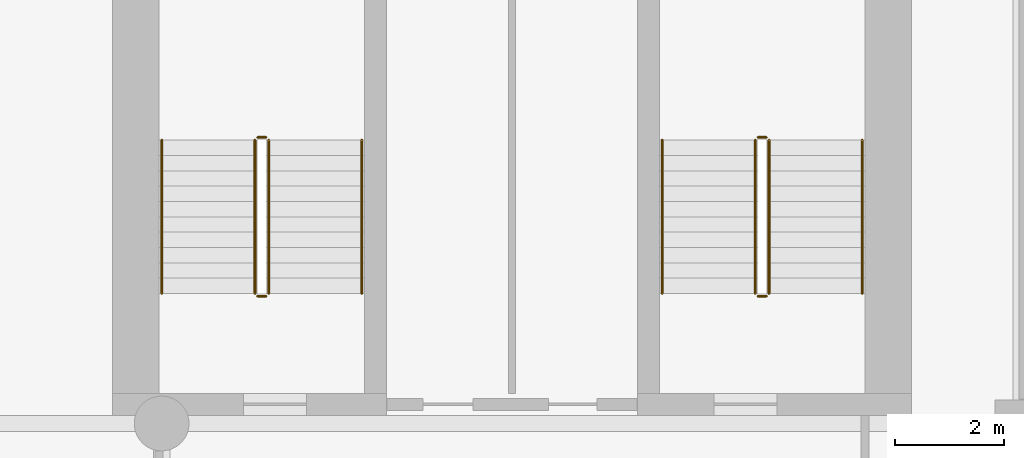
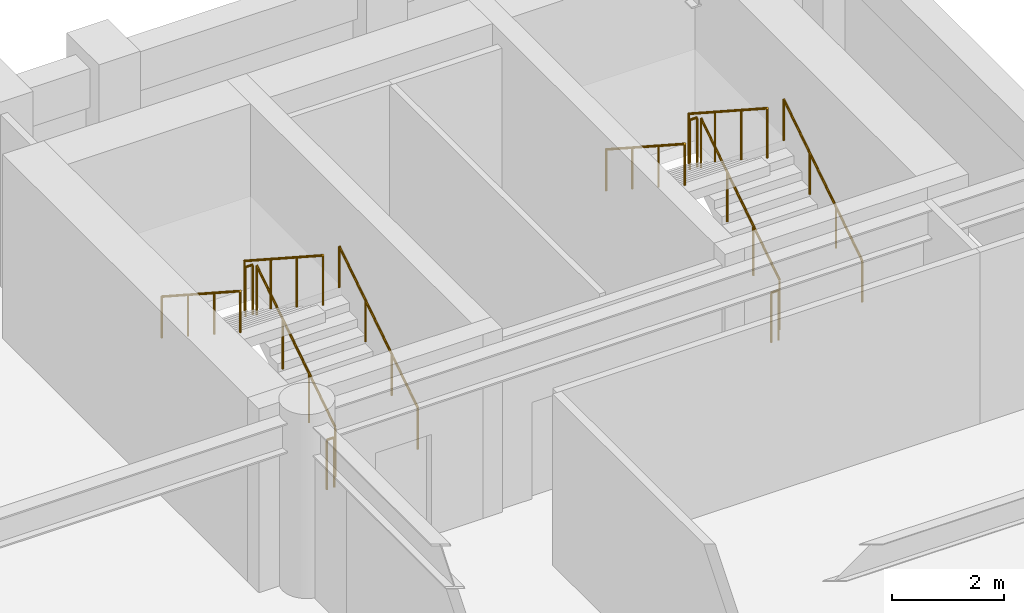
# One storey, part 7 of 7: 12 railings.
"""IFC4 building model written with IfcOpenShell, lengths in metres."""

from ifc_helpers import new_model, si_unit, direction, frame, origin, origin_2d, place, context, subcontext, project, spatial, circle, extrude, material, type_object, element, save


model = new_model("IFC4")

# Units and contexts
model_context = context("Model", 3, precision=1e-05, world=origin(), true_north=direction((0.0, 1.0)))
body_context = subcontext(model_context, "Body", "Model", "MODEL_VIEW")
ifc_project = project(units=[si_unit("LENGTHUNIT", "METRE"), si_unit("AREAUNIT", "SQUARE_METRE"), si_unit("VOLUMEUNIT", "CUBIC_METRE"), si_unit("PLANEANGLEUNIT", "RADIAN"), si_unit("MASSUNIT", "GRAM", prefix="KILO")], contexts=[model_context])

# Site, building, storey
site_placement = place(None, origin())
site = spatial("IfcSite", under=ifc_project, at=site_placement, CompositionType="ELEMENT")
building_placement = place(site_placement, origin())
building = spatial("IfcBuilding", under=site, at=building_placement, Name="Sulina Concourse Tower", CompositionType="ELEMENT")
storey_placement = place(building_placement, frame((0.0, 0.0, 92.60009765625)))
storey = spatial("IfcBuildingStorey", under=building, at=storey_placement, Name="L22", CompositionType="ELEMENT", Elevation=92.60009765625)

# Railings
ifc_material_1 = material(Name="Galvanised steel railing", Category="steel")
railing_type_1 = type_object("IfcRailingType", Name="Core Stair Steel Guardrail 1150mm", PredefinedType="GUARDRAIL", material=ifc_material_1)
railing_1_placement = place(storey_placement, frame((43.554931640625, 36.375, 0.181640625)))
element("IfcRailing", 1, at=railing_1_placement, inside=storey, type_object=railing_type_1, Name="L22 ST-3 stair guard 1", PredefinedType="GUARDRAIL", context=body_context, shape_type="SweptSolid", body=[
    extrude(circle(Radius=0.02392578125, at=origin_2d()), frame((0.0, 0.0, 1.076171875), z_axis=(0.0, 0.838672427954, 0.544636170843), x_axis=(-1.0, 0.0, 0.0)), (0.0, 0.0, 1.0), 3.338623046875),
    extrude(circle(Radius=0.02099609375, at=origin_2d()), origin(), (0.0, 0.0, 1.0), 1.052001953125),
    extrude(circle(Radius=0.02099609375, at=origin_2d()), frame((0.0, 0.933349609375, 0.606201171875)), (0.0, 0.0, 1.0), 1.052001953125),
    extrude(circle(Radius=0.02099609375, at=origin_2d()), frame((0.0, 1.86669921875, 1.212158203125)), (0.0, 0.0, 1.0), 1.052001953125),
    extrude(circle(Radius=0.02099609375, at=origin_2d()), frame((0.0, 2.800048828125, 1.818359375)), (0.0, 0.0, 1.0), 1.052001953125),
])
railing_2_placement = place(storey_placement, frame((43.5048828125, 39.22509765625, 2.0)))
element("IfcRailing", 2, at=railing_2_placement, inside=storey, type_object=railing_type_1, Name="L22 ST-3 stair guard 2", PredefinedType="GUARDRAIL", context=body_context, shape_type="SweptSolid", body=[
    extrude(circle(Radius=0.02392578125, at=origin_2d()), frame((0.0, 0.0, 1.076171875), z_axis=(-1.0, 0.0, 0.0), x_axis=(0.0, -1.0, 0.0)), (0.0, 0.0, 1.0), 0.14990234375),
    extrude(circle(Radius=0.02099609375, at=origin_2d()), origin(), (0.0, 0.0, 1.0), 1.052001953125),
    extrude(circle(Radius=0.02099609375, at=origin_2d()), frame((-0.14990234375, 0.0, 0.0)), (0.0, 0.0, 1.0), 1.052001953125),
])
railing_3_placement = place(storey_placement, frame((43.304931640625, 39.175048828125, 2.181640625)))
element("IfcRailing", 3, at=railing_3_placement, inside=storey, type_object=railing_type_1, Name="L22 ST-3 stair guard 3", PredefinedType="GUARDRAIL", context=body_context, shape_type="SweptSolid", body=[
    extrude(circle(Radius=0.02392578125, at=origin_2d()), frame((0.0, 0.0, 1.076171875), z_axis=(0.0, -0.838672427954, 0.544636170843), x_axis=(1.0, 0.0, 0.0)), (0.0, 0.0, 1.0), 3.338623046875),
    extrude(circle(Radius=0.02099609375, at=origin_2d()), origin(), (0.0, 0.0, 1.0), 1.052001953125),
    extrude(circle(Radius=0.02099609375, at=origin_2d()), frame((0.0, -0.933349609375, 0.606201171875)), (0.0, 0.0, 1.0), 1.052001953125),
    extrude(circle(Radius=0.02099609375, at=origin_2d()), frame((0.0, -1.86669921875, 1.212158203125)), (0.0, 0.0, 1.0), 1.052001953125),
    extrude(circle(Radius=0.02099609375, at=origin_2d()), frame((0.0, -2.800048828125, 1.818359375)), (0.0, 0.0, 1.0), 1.052001953125),
])
railing_4_placement = place(storey_placement, frame((43.5048828125, 36.324951171875, 0.0)))
element("IfcRailing", 4, at=railing_4_placement, inside=storey, type_object=railing_type_1, Name="L22 ST-3 stair guard 4", PredefinedType="GUARDRAIL", context=body_context, shape_type="SweptSolid", body=[
    extrude(circle(Radius=0.02392578125, at=origin_2d()), frame((0.0, 0.0, 1.076171875), z_axis=(-1.0, 0.0, 0.0), x_axis=(0.0, -1.0, 0.0)), (0.0, 0.0, 1.0), 0.14990234375),
    extrude(circle(Radius=0.02099609375, at=origin_2d()), origin(), (0.0, 0.0, 1.0), 1.052001953125),
    extrude(circle(Radius=0.02099609375, at=origin_2d()), frame((-0.14990234375, 0.0, 0.0)), (0.0, 0.0, 1.0), 1.052001953125),
])
railing_5_placement = place(storey_placement, frame((52.695068359375, 36.375, 0.181640625)))
element("IfcRailing", 5, at=railing_5_placement, inside=storey, type_object=railing_type_1, Name="L22 ST-4 stair guard 1", PredefinedType="GUARDRAIL", context=body_context, shape_type="SweptSolid", body=[
    extrude(circle(Radius=0.02392578125, at=origin_2d()), frame((0.0, 0.0, 1.076171875), z_axis=(0.0, 0.838672427954, 0.544636170843), x_axis=(-1.0, 0.0, 0.0)), (0.0, 0.0, 1.0), 3.338623046875),
    extrude(circle(Radius=0.02099609375, at=origin_2d()), origin(), (0.0, 0.0, 1.0), 1.052001953125),
    extrude(circle(Radius=0.02099609375, at=origin_2d()), frame((0.0, 0.933349609375, 0.606201171875)), (0.0, 0.0, 1.0), 1.052001953125),
    extrude(circle(Radius=0.02099609375, at=origin_2d()), frame((0.0, 1.86669921875, 1.212158203125)), (0.0, 0.0, 1.0), 1.052001953125),
    extrude(circle(Radius=0.02099609375, at=origin_2d()), frame((0.0, 2.800048828125, 1.818359375)), (0.0, 0.0, 1.0), 1.052001953125),
])
railing_6_placement = place(storey_placement, frame((52.64501953125, 39.22509765625, 2.0)))
element("IfcRailing", 6, at=railing_6_placement, inside=storey, type_object=railing_type_1, Name="L22 ST-4 stair guard 2", PredefinedType="GUARDRAIL", context=body_context, shape_type="SweptSolid", body=[
    extrude(circle(Radius=0.02392578125, at=origin_2d()), frame((0.0, 0.0, 1.076171875), z_axis=(-1.0, 0.0, 0.0), x_axis=(0.0, -1.0, 0.0)), (0.0, 0.0, 1.0), 0.14990234375),
    extrude(circle(Radius=0.02099609375, at=origin_2d()), origin(), (0.0, 0.0, 1.0), 1.052001953125),
    extrude(circle(Radius=0.02099609375, at=origin_2d()), frame((-0.14990234375, 0.0, 0.0)), (0.0, 0.0, 1.0), 1.052001953125),
])
railing_7_placement = place(storey_placement, frame((52.445068359375, 39.175048828125, 2.181640625)))
element("IfcRailing", 7, at=railing_7_placement, inside=storey, type_object=railing_type_1, Name="L22 ST-4 stair guard 3", PredefinedType="GUARDRAIL", context=body_context, shape_type="SweptSolid", body=[
    extrude(circle(Radius=0.02392578125, at=origin_2d()), frame((0.0, 0.0, 1.076171875), z_axis=(0.0, -0.838672427954, 0.544636170843), x_axis=(1.0, 0.0, 0.0)), (0.0, 0.0, 1.0), 3.338623046875),
    extrude(circle(Radius=0.02099609375, at=origin_2d()), origin(), (0.0, 0.0, 1.0), 1.052001953125),
    extrude(circle(Radius=0.02099609375, at=origin_2d()), frame((0.0, -0.933349609375, 0.606201171875)), (0.0, 0.0, 1.0), 1.052001953125),
    extrude(circle(Radius=0.02099609375, at=origin_2d()), frame((0.0, -1.86669921875, 1.212158203125)), (0.0, 0.0, 1.0), 1.052001953125),
    extrude(circle(Radius=0.02099609375, at=origin_2d()), frame((0.0, -2.800048828125, 1.818359375)), (0.0, 0.0, 1.0), 1.052001953125),
])
railing_8_placement = place(storey_placement, frame((52.64501953125, 36.324951171875, 0.0)))
element("IfcRailing", 8, at=railing_8_placement, inside=storey, type_object=railing_type_1, Name="L22 ST-4 stair guard 4", PredefinedType="GUARDRAIL", context=body_context, shape_type="SweptSolid", body=[
    extrude(circle(Radius=0.02392578125, at=origin_2d()), frame((0.0, 0.0, 1.076171875), z_axis=(-1.0, 0.0, 0.0), x_axis=(0.0, -1.0, 0.0)), (0.0, 0.0, 1.0), 0.14990234375),
    extrude(circle(Radius=0.02099609375, at=origin_2d()), origin(), (0.0, 0.0, 1.0), 1.052001953125),
    extrude(circle(Radius=0.02099609375, at=origin_2d()), frame((-0.14990234375, 0.0, 0.0)), (0.0, 0.0, 1.0), 1.052001953125),
])
ifc_material_2 = material(Name="Galvanised steel railing", Category="steel")
railing_type_2 = type_object("IfcRailingType", Name="Stair Wall Steel Handrail 920mm", PredefinedType="HANDRAIL", material=ifc_material_2)
railing_9_placement = place(storey_placement, frame((45.2548828125, 36.375, 0.181640625)))
element("IfcRailing", 9, at=railing_9_placement, inside=storey, type_object=railing_type_2, Name="L22 ST-3 stair handrail 1", PredefinedType="HANDRAIL", context=body_context, shape_type="SweptSolid", body=[
    extrude(circle(Radius=0.02392578125, at=origin_2d()), frame((0.0, 0.0, 0.89599609375), z_axis=(0.0, 0.838672427954, 0.544636170843), x_axis=(-1.0, 0.0, 0.0)), (0.0, 0.0, 1.0), 3.338623046875),
    extrude(circle(Radius=0.02099609375, at=origin_2d()), origin(), (0.0, 0.0, 1.0), 0.871826171875),
    extrude(circle(Radius=0.02099609375, at=origin_2d()), frame((0.0, 0.933349609375, 0.606201171875)), (0.0, 0.0, 1.0), 0.871826171875),
    extrude(circle(Radius=0.02099609375, at=origin_2d()), frame((0.0, 1.86669921875, 1.212158203125)), (0.0, 0.0, 1.0), 0.871826171875),
    extrude(circle(Radius=0.02099609375, at=origin_2d()), frame((0.0, 2.800048828125, 1.818359375)), (0.0, 0.0, 1.0), 0.871826171875),
])
railing_10_placement = place(storey_placement, frame((41.60498046875, 39.175048828125, 2.181640625)))
element("IfcRailing", 10, at=railing_10_placement, inside=storey, type_object=railing_type_2, Name="L22 ST-3 stair handrail 2", PredefinedType="HANDRAIL", context=body_context, shape_type="SweptSolid", body=[
    extrude(circle(Radius=0.02392578125, at=origin_2d()), frame((0.0, 0.0, 0.89599609375), z_axis=(0.0, -0.838672427954, 0.544636170843), x_axis=(1.0, 0.0, 0.0)), (0.0, 0.0, 1.0), 3.338623046875),
    extrude(circle(Radius=0.02099609375, at=origin_2d()), origin(), (0.0, 0.0, 1.0), 0.871826171875),
    extrude(circle(Radius=0.02099609375, at=origin_2d()), frame((0.0, -0.933349609375, 0.606201171875)), (0.0, 0.0, 1.0), 0.871826171875),
    extrude(circle(Radius=0.02099609375, at=origin_2d()), frame((0.0, -1.86669921875, 1.212158203125)), (0.0, 0.0, 1.0), 0.871826171875),
    extrude(circle(Radius=0.02099609375, at=origin_2d()), frame((0.0, -2.800048828125, 1.818359375)), (0.0, 0.0, 1.0), 0.871826171875),
])
railing_11_placement = place(storey_placement, frame((54.39501953125, 36.375, 0.181640625)))
element("IfcRailing", 11, at=railing_11_placement, inside=storey, type_object=railing_type_2, Name="L22 ST-4 stair handrail 1", PredefinedType="HANDRAIL", context=body_context, shape_type="SweptSolid", body=[
    extrude(circle(Radius=0.02392578125, at=origin_2d()), frame((0.0, 0.0, 0.89599609375), z_axis=(0.0, 0.838672427954, 0.544636170843), x_axis=(-1.0, 0.0, 0.0)), (0.0, 0.0, 1.0), 3.338623046875),
    extrude(circle(Radius=0.02099609375, at=origin_2d()), origin(), (0.0, 0.0, 1.0), 0.871826171875),
    extrude(circle(Radius=0.02099609375, at=origin_2d()), frame((0.0, 0.933349609375, 0.606201171875)), (0.0, 0.0, 1.0), 0.871826171875),
    extrude(circle(Radius=0.02099609375, at=origin_2d()), frame((0.0, 1.86669921875, 1.212158203125)), (0.0, 0.0, 1.0), 0.871826171875),
    extrude(circle(Radius=0.02099609375, at=origin_2d()), frame((0.0, 2.800048828125, 1.818359375)), (0.0, 0.0, 1.0), 0.871826171875),
])
railing_12_placement = place(storey_placement, frame((50.7451171875, 39.175048828125, 2.181640625)))
element("IfcRailing", 12, at=railing_12_placement, inside=storey, type_object=railing_type_2, Name="L22 ST-4 stair handrail 2", PredefinedType="HANDRAIL", context=body_context, shape_type="SweptSolid", body=[
    extrude(circle(Radius=0.02392578125, at=origin_2d()), frame((0.0, 0.0, 0.89599609375), z_axis=(0.0, -0.838672427954, 0.544636170843), x_axis=(1.0, 0.0, 0.0)), (0.0, 0.0, 1.0), 3.338623046875),
    extrude(circle(Radius=0.02099609375, at=origin_2d()), origin(), (0.0, 0.0, 1.0), 0.871826171875),
    extrude(circle(Radius=0.02099609375, at=origin_2d()), frame((0.0, -0.933349609375, 0.606201171875)), (0.0, 0.0, 1.0), 0.871826171875),
    extrude(circle(Radius=0.02099609375, at=origin_2d()), frame((0.0, -1.86669921875, 1.212158203125)), (0.0, 0.0, 1.0), 0.871826171875),
    extrude(circle(Radius=0.02099609375, at=origin_2d()), frame((0.0, -2.800048828125, 1.818359375)), (0.0, 0.0, 1.0), 0.871826171875),
])

save(model, "model.ifc")
